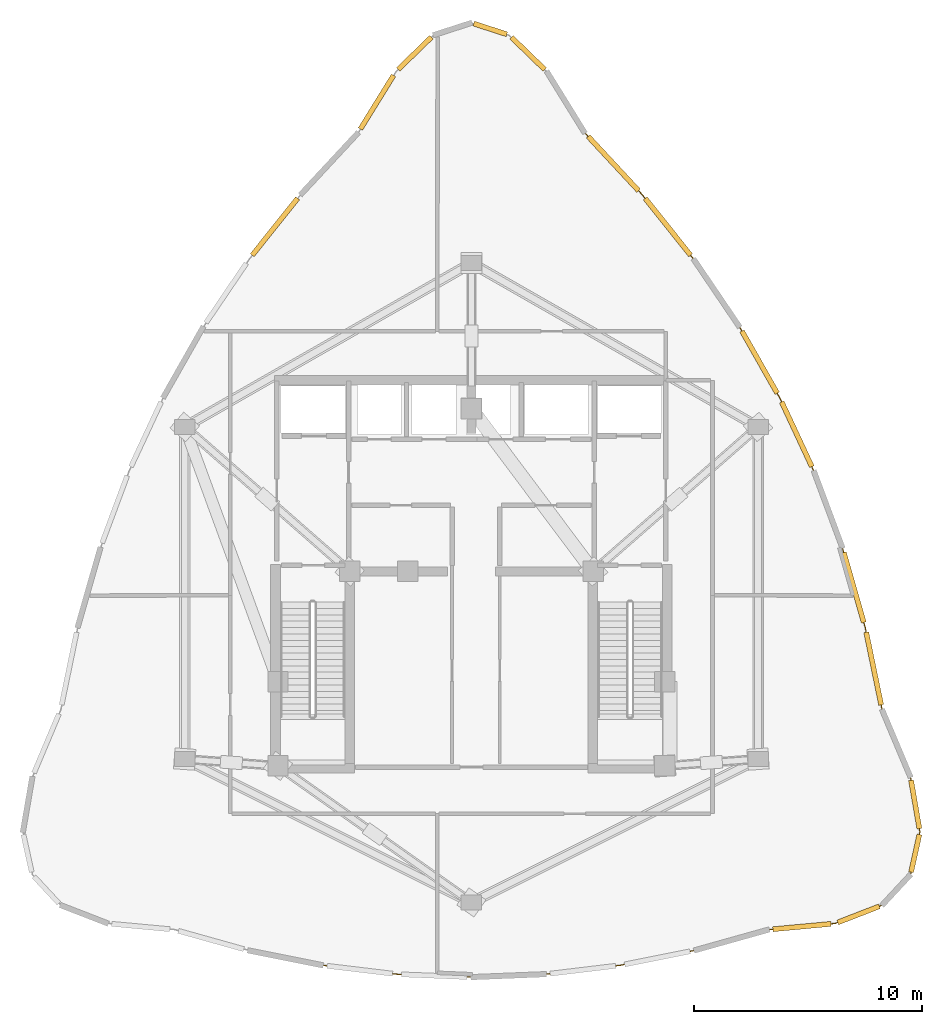
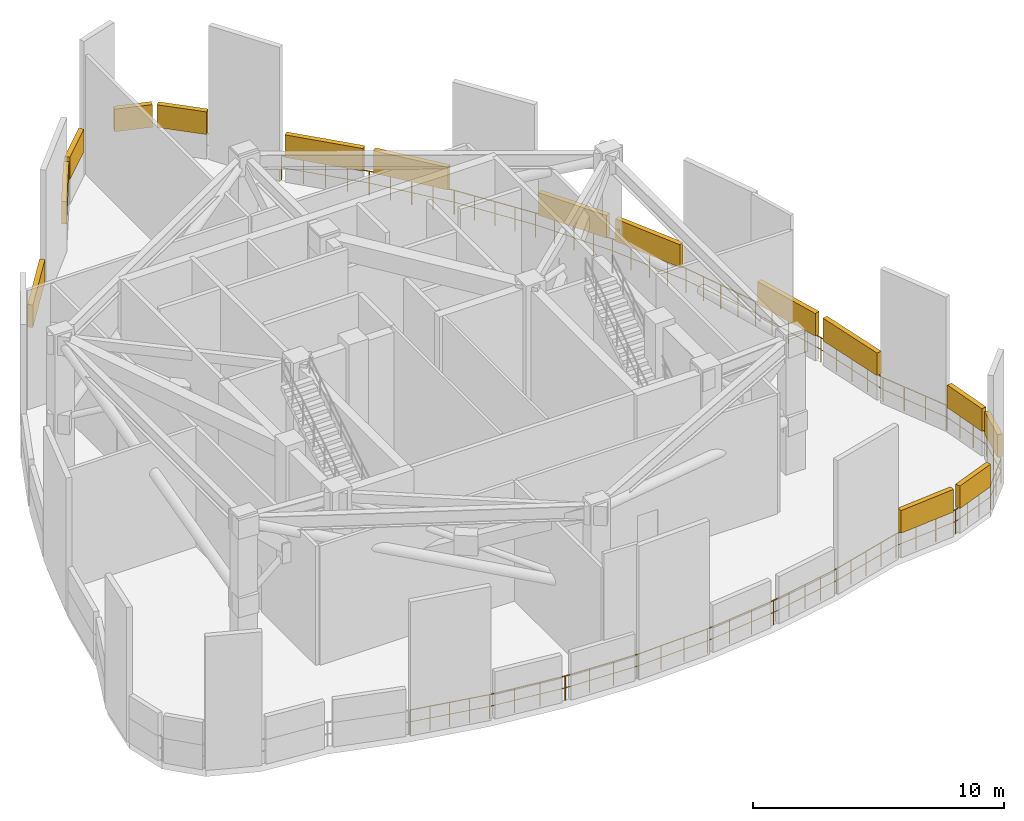
# One storey, part 8 of 8: 15 shading devices, 1 railing.
"""IFC4 building model written with IfcOpenShell, lengths in metres."""

from ifc_helpers import new_model, si_unit, direction, frame, origin, origin_2d, place, context, subcontext, project, spatial, rectangle, circle, extrude, material, type_object, element, save


model = new_model("IFC4")

# Units and contexts
model_context = context("Model", 3, precision=1e-05, world=origin(), true_north=direction((0.0, 1.0)))
body_context = subcontext(model_context, "Body", "Model", "MODEL_VIEW")
ifc_project = project(units=[si_unit("LENGTHUNIT", "METRE"), si_unit("AREAUNIT", "SQUARE_METRE"), si_unit("VOLUMEUNIT", "CUBIC_METRE"), si_unit("PLANEANGLEUNIT", "RADIAN"), si_unit("MASSUNIT", "GRAM", prefix="KILO")], contexts=[model_context])

# Site, building, storey
site_placement = place(None, origin())
site = spatial("IfcSite", under=ifc_project, at=site_placement, CompositionType="ELEMENT")
building_placement = place(site_placement, origin())
building = spatial("IfcBuilding", under=site, at=building_placement, Name="Miruveldt Soraemaru", CompositionType="ELEMENT")
storey_placement = place(building_placement, frame((0.0, 0.0, 282.800048828125)))
storey = spatial("IfcBuildingStorey", under=building, at=storey_placement, Name="L77", CompositionType="ELEMENT", Elevation=282.800048828125)

# Railing
ifc_material = material(Name="Anodised aluminium EN AW-6063 T6", Category="aluminium")
railing_type = type_object("IfcRailingType", Name="RAIL-GUARD-1200", PredefinedType="GUARDRAIL", material=ifc_material)
railing_placement = place(storey_placement, frame((34.193603515625, 27.388671875, 0.0)))
element("IfcRailing", 1, at=railing_placement, inside=storey, type_object=railing_type, Name="L77 Wind-Turbine Slot Perimeter Guardrail (B)", PredefinedType="GUARDRAIL", context=body_context, shape_type="SweptSolid", body=[
    extrude(circle(Radius=0.02392578125, at=origin_2d()), frame((0.0, 0.0, 1.17578125), z_axis=(0.980591941553, -0.196059797411, 0.0), x_axis=(0.196059797411, 0.980591941553, 0.0)), (0.0, 0.0, 1.0), 3.33349609375),
    extrude(circle(Radius=0.01611328125, at=origin_2d()), frame((0.0, 0.0, 0.60009765625), z_axis=(0.980591941553, -0.196059797411, 0.0), x_axis=(0.196059797411, 0.980591941553, 0.0)), (0.0, 0.0, 1.0), 3.33349609375),
    extrude(circle(Radius=0.02392578125, at=origin_2d()), frame((3.268798828125, -0.653564453125, 1.17578125), z_axis=(0.992874031046, -0.11916861363, 0.0), x_axis=(0.11916861363, 0.992874031046, 0.0)), (0.0, 0.0, 1.0), 3.292236328125),
    extrude(circle(Radius=0.01611328125, at=origin_2d()), frame((3.268798828125, -0.653564453125, 0.60009765625), z_axis=(0.992874031046, -0.11916861363, 0.0), x_axis=(0.11916861363, 0.992874031046, 0.0)), (0.0, 0.0, 1.0), 3.292236328125),
    extrude(circle(Radius=0.02392578125, at=origin_2d()), frame((6.53759765625, -1.0458984375, 1.17578125), z_axis=(0.999199646822, -0.040000822369, 0.0), x_axis=(0.040000822369, 0.999199646822, 0.0)), (0.0, 0.0, 1.0), 3.271484375),
    extrude(circle(Radius=0.01611328125, at=origin_2d()), frame((6.53759765625, -1.0458984375, 0.60009765625), z_axis=(0.999199646822, -0.040000822369, 0.0), x_axis=(0.040000822369, 0.999199646822, 0.0)), (0.0, 0.0, 1.0), 3.271484375),
    extrude(circle(Radius=0.02392578125, at=origin_2d()), frame((9.806396484375, -1.1767578125, 1.17578125), z_axis=(0.999199646822, 0.040000822369, 0.0), x_axis=(-0.040000822369, 0.999199646822, 0.0)), (0.0, 0.0, 1.0), 3.271484375),
    extrude(circle(Radius=0.01611328125, at=origin_2d()), frame((9.806396484375, -1.1767578125, 0.60009765625), z_axis=(0.999199646822, 0.040000822369, 0.0), x_axis=(-0.040000822369, 0.999199646822, 0.0)), (0.0, 0.0, 1.0), 3.271484375),
    extrude(circle(Radius=0.02392578125, at=origin_2d()), frame((13.0751953125, -1.0458984375, 1.17578125), z_axis=(0.992874031046, 0.11916861363, 0.0), x_axis=(-0.11916861363, 0.992874031046, 0.0)), (0.0, 0.0, 1.0), 3.292236328125),
    extrude(circle(Radius=0.01611328125, at=origin_2d()), frame((13.0751953125, -1.0458984375, 0.60009765625), z_axis=(0.992874031046, 0.11916861363, 0.0), x_axis=(-0.11916861363, 0.992874031046, 0.0)), (0.0, 0.0, 1.0), 3.292236328125),
    extrude(circle(Radius=0.02392578125, at=origin_2d()), frame((16.343994140625, -0.653564453125, 1.17578125), z_axis=(0.980591941553, 0.196059797411, 0.0), x_axis=(-0.196059797411, 0.980591941553, 0.0)), (0.0, 0.0, 1.0), 3.33349609375),
    extrude(circle(Radius=0.01611328125, at=origin_2d()), frame((16.343994140625, -0.653564453125, 0.60009765625), z_axis=(0.980591941553, 0.196059797411, 0.0), x_axis=(-0.196059797411, 0.980591941553, 0.0)), (0.0, 0.0, 1.0), 3.33349609375),
    extrude(circle(Radius=0.02392578125, at=origin_2d()), frame((19.61279296875, 0.0, 1.17578125), z_axis=(0.962967754181, 0.269616587784, 0.0), x_axis=(-0.269616587784, 0.962967754181, 0.0)), (0.0, 0.0, 1.0), 3.394775390625),
    extrude(circle(Radius=0.01611328125, at=origin_2d()), frame((19.61279296875, 0.0, 0.60009765625), z_axis=(0.962967754181, 0.269616587784, 0.0), x_axis=(-0.269616587784, 0.962967754181, 0.0)), (0.0, 0.0, 1.0), 3.394775390625),
    extrude(circle(Radius=0.02392578125, at=origin_2d()), frame((22.8818359375, 0.915283203125, 1.17578125), z_axis=(0.995754888126, 0.092044569491, 0.0), x_axis=(-0.092044569491, 0.995754888126, 0.0)), (0.0, 0.0, 1.0), 2.917724609375),
    extrude(circle(Radius=0.01611328125, at=origin_2d()), frame((22.8818359375, 0.915283203125, 0.60009765625), z_axis=(0.995754888126, 0.092044569491, 0.0), x_axis=(-0.092044569491, 0.995754888126, 0.0)), (0.0, 0.0, 1.0), 2.917724609375),
    extrude(circle(Radius=0.02392578125, at=origin_2d()), frame((25.787109375, 1.183837890625, 1.17578125), z_axis=(0.932321313147, 0.361630984641, 0.0), x_axis=(-0.361630984641, 0.932321313147, 0.0)), (0.0, 0.0, 1.0), 2.225830078125),
    extrude(circle(Radius=0.01611328125, at=origin_2d()), frame((25.787109375, 1.183837890625, 0.60009765625), z_axis=(0.932321313147, 0.361630984641, 0.0), x_axis=(-0.361630984641, 0.932321313147, 0.0)), (0.0, 0.0, 1.0), 2.225830078125),
    extrude(circle(Radius=0.02392578125, at=origin_2d()), frame((27.8623046875, 1.98876953125, 1.17578125), z_axis=(0.680067331247, 0.733149660691, 0.0), x_axis=(-0.733149660691, 0.680067331247, 0.0)), (0.0, 0.0, 1.0), 1.83056640625),
    extrude(circle(Radius=0.01611328125, at=origin_2d()), frame((27.8623046875, 1.98876953125, 0.60009765625), z_axis=(0.680067331247, 0.733149660691, 0.0), x_axis=(-0.733149660691, 0.680067331247, 0.0)), (0.0, 0.0, 1.0), 1.83056640625),
    extrude(circle(Radius=0.02392578125, at=origin_2d()), frame((29.107177734375, 3.330810546875, 1.17578125), z_axis=(0.215868789912, 0.976422380705, 0.0), x_axis=(-0.976422380705, 0.215868789912, 0.0)), (0.0, 0.0, 1.0), 1.923828125),
    extrude(circle(Radius=0.01611328125, at=origin_2d()), frame((29.107177734375, 3.330810546875, 0.60009765625), z_axis=(0.215868789912, 0.976422380705, 0.0), x_axis=(-0.976422380705, 0.215868789912, 0.0)), (0.0, 0.0, 1.0), 1.923828125),
    extrude(circle(Radius=0.02392578125, at=origin_2d()), frame((29.5224609375, 5.209228515625, 1.17578125), z_axis=(-0.169436567839, 0.985541094769, 0.0), x_axis=(-0.985541094769, -0.169436567839, 0.0)), (0.0, 0.0, 1.0), 2.450927734375),
    extrude(circle(Radius=0.01611328125, at=origin_2d()), frame((29.5224609375, 5.209228515625, 0.60009765625), z_axis=(-0.169436567839, 0.985541094769, 0.0), x_axis=(-0.985541094769, -0.169436567839, 0.0)), (0.0, 0.0, 1.0), 2.450927734375),
    extrude(circle(Radius=0.02392578125, at=origin_2d()), frame((29.107177734375, 7.624755859375, 1.17578125), z_axis=(-0.388550908653, 0.921427257783, 0.0), x_axis=(-0.921427257783, -0.388550908653, 0.0)), (0.0, 0.0, 1.0), 3.203857421875),
    extrude(circle(Radius=0.01611328125, at=origin_2d()), frame((29.107177734375, 7.624755859375, 0.60009765625), z_axis=(-0.388550908653, 0.921427257783, 0.0), x_axis=(-0.921427257783, -0.388550908653, 0.0)), (0.0, 0.0, 1.0), 3.203857421875),
    extrude(circle(Radius=0.02392578125, at=origin_2d()), frame((27.8623046875, 10.576904296875, 1.17578125), z_axis=(-0.201613867718, 0.979465082759, 0.0), x_axis=(-0.979465082759, -0.201613867718, 0.0)), (0.0, 0.0, 1.0), 3.704345703125),
    extrude(circle(Radius=0.01611328125, at=origin_2d()), frame((27.8623046875, 10.576904296875, 0.60009765625), z_axis=(-0.201613867718, 0.979465082759, 0.0), x_axis=(-0.979465082759, -0.201613867718, 0.0)), (0.0, 0.0, 1.0), 3.704345703125),
    extrude(circle(Radius=0.02392578125, at=origin_2d()), frame((27.115478515625, 14.205078125, 1.17578125), z_axis=(-0.274960445559, 0.96145553895, 0.0), x_axis=(-0.96145553895, -0.274960445559, 0.0)), (0.0, 0.0, 1.0), 3.6376953125),
    extrude(circle(Radius=0.01611328125, at=origin_2d()), frame((27.115478515625, 14.205078125, 0.60009765625), z_axis=(-0.274960445559, 0.96145553895, 0.0), x_axis=(-0.96145553895, -0.274960445559, 0.0)), (0.0, 0.0, 1.0), 3.6376953125),
    extrude(circle(Radius=0.02392578125, at=origin_2d()), frame((26.115234375, 17.70263671875, 1.17578125), z_axis=(-0.349022436182, 0.937114368176, 0.0), x_axis=(-0.937114368176, -0.349022436182, 0.0)), (0.0, 0.0, 1.0), 3.592529296875),
    extrude(circle(Radius=0.01611328125, at=origin_2d()), frame((26.115234375, 17.70263671875, 0.60009765625), z_axis=(-0.349022436182, 0.937114368176, 0.0), x_axis=(-0.937114368176, -0.349022436182, 0.0)), (0.0, 0.0, 1.0), 3.592529296875),
    extrude(circle(Radius=0.02392578125, at=origin_2d()), frame((24.861328125, 21.0693359375, 1.17578125), z_axis=(-0.422286367485, 0.906462477898, 0.0), x_axis=(-0.906462477898, -0.422286367485, 0.0)), (0.0, 0.0, 1.0), 3.570068359375),
    extrude(circle(Radius=0.01611328125, at=origin_2d()), frame((24.861328125, 21.0693359375, 0.60009765625), z_axis=(-0.422286367485, 0.906462477898, 0.0), x_axis=(-0.906462477898, -0.422286367485, 0.0)), (0.0, 0.0, 1.0), 3.570068359375),
    extrude(circle(Radius=0.02392578125, at=origin_2d()), frame((23.353759765625, 24.305419921875, 1.17578125), z_axis=(-0.493352462232, 0.869829493642, 0.0), x_axis=(-0.869829493642, -0.493352462232, 0.0)), (0.0, 0.0, 1.0), 3.56982421875),
    extrude(circle(Radius=0.01611328125, at=origin_2d()), frame((23.353759765625, 24.305419921875, 0.60009765625), z_axis=(-0.493352462232, 0.869829493642, 0.0), x_axis=(-0.869829493642, -0.493352462232, 0.0)), (0.0, 0.0, 1.0), 3.56982421875),
    extrude(circle(Radius=0.02392578125, at=origin_2d()), frame((21.592529296875, 27.41064453125, 1.17578125), z_axis=(-0.56084814517, 0.827918690488, 0.0), x_axis=(-0.827918690488, -0.56084814517, 0.0)), (0.0, 0.0, 1.0), 3.592529296875),
    extrude(circle(Radius=0.01611328125, at=origin_2d()), frame((21.592529296875, 27.41064453125, 0.60009765625), z_axis=(-0.56084814517, 0.827918690488, 0.0), x_axis=(-0.827918690488, -0.56084814517, 0.0)), (0.0, 0.0, 1.0), 3.592529296875),
    extrude(circle(Radius=0.02392578125, at=origin_2d()), frame((19.57763671875, 30.385009765625, 1.17578125), z_axis=(-0.623614093893, 0.781732346714, 0.0), x_axis=(-0.781732346714, -0.623614093893, 0.0)), (0.0, 0.0, 1.0), 3.6376953125),
    extrude(circle(Radius=0.01611328125, at=origin_2d()), frame((19.57763671875, 30.385009765625, 0.60009765625), z_axis=(-0.623614093893, 0.781732346714, 0.0), x_axis=(-0.781732346714, -0.623614093893, 0.0)), (0.0, 0.0, 1.0), 3.6376953125),
    extrude(circle(Radius=0.02392578125, at=origin_2d()), frame((17.30908203125, 33.228759765625, 1.17578125), z_axis=(-0.680882057682, 0.732393079928, 0.0), x_axis=(-0.732393079928, -0.680882057682, 0.0)), (0.0, 0.0, 1.0), 3.6494140625),
    extrude(circle(Radius=0.01611328125, at=origin_2d()), frame((17.30908203125, 33.228759765625, 0.60009765625), z_axis=(-0.680882057682, 0.732393079928, 0.0), x_axis=(-0.732393079928, -0.680882057682, 0.0)), (0.0, 0.0, 1.0), 3.6494140625),
    extrude(circle(Radius=0.02099609375, at=origin_2d()), origin(), (0.0, 0.0, 1.0), 1.15185546875),
    extrude(circle(Radius=0.02099609375, at=origin_2d()), frame((0.817138671875, -0.163330078125, 0.0)), (0.0, 0.0, 1.0), 1.15185546875),
    extrude(circle(Radius=0.02099609375, at=origin_2d()), frame((1.63427734375, -0.32666015625, 0.0)), (0.0, 0.0, 1.0), 1.15185546875),
    extrude(circle(Radius=0.02099609375, at=origin_2d()), frame((2.45166015625, -0.490234375, 0.0)), (0.0, 0.0, 1.0), 1.15185546875),
    extrude(circle(Radius=0.02099609375, at=origin_2d()), frame((3.268798828125, -0.653564453125, 0.0)), (0.0, 0.0, 1.0), 1.15185546875),
    extrude(circle(Radius=0.02099609375, at=origin_2d()), frame((4.3583984375, -0.784423828125, 0.0)), (0.0, 0.0, 1.0), 1.15185546875),
    extrude(circle(Radius=0.02099609375, at=origin_2d()), frame((5.447998046875, -0.9150390625, 0.0)), (0.0, 0.0, 1.0), 1.15185546875),
    extrude(circle(Radius=0.02099609375, at=origin_2d()), frame((6.53759765625, -1.0458984375, 0.0)), (0.0, 0.0, 1.0), 1.15185546875),
    extrude(circle(Radius=0.02099609375, at=origin_2d()), frame((7.627197265625, -1.089599609375, 0.0)), (0.0, 0.0, 1.0), 1.15185546875),
    extrude(circle(Radius=0.02099609375, at=origin_2d()), frame((8.716796875, -1.133056640625, 0.0)), (0.0, 0.0, 1.0), 1.15185546875),
    extrude(circle(Radius=0.02099609375, at=origin_2d()), frame((9.806396484375, -1.1767578125, 0.0)), (0.0, 0.0, 1.0), 1.15185546875),
    extrude(circle(Radius=0.02099609375, at=origin_2d()), frame((10.89599609375, -1.133056640625, 0.0)), (0.0, 0.0, 1.0), 1.15185546875),
    extrude(circle(Radius=0.02099609375, at=origin_2d()), frame((11.985595703125, -1.089599609375, 0.0)), (0.0, 0.0, 1.0), 1.15185546875),
    extrude(circle(Radius=0.02099609375, at=origin_2d()), frame((13.0751953125, -1.0458984375, 0.0)), (0.0, 0.0, 1.0), 1.15185546875),
    extrude(circle(Radius=0.02099609375, at=origin_2d()), frame((14.164794921875, -0.9150390625, 0.0)), (0.0, 0.0, 1.0), 1.15185546875),
    extrude(circle(Radius=0.02099609375, at=origin_2d()), frame((15.25439453125, -0.784423828125, 0.0)), (0.0, 0.0, 1.0), 1.15185546875),
    extrude(circle(Radius=0.02099609375, at=origin_2d()), frame((16.343994140625, -0.653564453125, 0.0)), (0.0, 0.0, 1.0), 1.15185546875),
    extrude(circle(Radius=0.02099609375, at=origin_2d()), frame((17.1611328125, -0.490234375, 0.0)), (0.0, 0.0, 1.0), 1.15185546875),
    extrude(circle(Radius=0.02099609375, at=origin_2d()), frame((17.978515625, -0.32666015625, 0.0)), (0.0, 0.0, 1.0), 1.15185546875),
    extrude(circle(Radius=0.02099609375, at=origin_2d()), frame((18.795654296875, -0.163330078125, 0.0)), (0.0, 0.0, 1.0), 1.15185546875),
    extrude(circle(Radius=0.02099609375, at=origin_2d()), frame((19.61279296875, 0.0, 0.0)), (0.0, 0.0, 1.0), 1.15185546875),
    extrude(circle(Radius=0.02099609375, at=origin_2d()), frame((20.43017578125, 0.228759765625, 0.0)), (0.0, 0.0, 1.0), 1.15185546875),
    extrude(circle(Radius=0.02099609375, at=origin_2d()), frame((21.247314453125, 0.45751953125, 0.0)), (0.0, 0.0, 1.0), 1.15185546875),
    extrude(circle(Radius=0.02099609375, at=origin_2d()), frame((22.064453125, 0.6865234375, 0.0)), (0.0, 0.0, 1.0), 1.15185546875),
    extrude(circle(Radius=0.02099609375, at=origin_2d()), frame((22.8818359375, 0.915283203125, 0.0)), (0.0, 0.0, 1.0), 1.15185546875),
    extrude(circle(Radius=0.02099609375, at=origin_2d()), frame((23.850341796875, 1.0048828125, 0.0)), (0.0, 0.0, 1.0), 1.15185546875),
    extrude(circle(Radius=0.02099609375, at=origin_2d()), frame((24.818603515625, 1.09423828125, 0.0)), (0.0, 0.0, 1.0), 1.15185546875),
    extrude(circle(Radius=0.02099609375, at=origin_2d()), frame((25.787109375, 1.183837890625, 0.0)), (0.0, 0.0, 1.0), 1.15185546875),
    extrude(circle(Radius=0.02099609375, at=origin_2d()), frame((26.478759765625, 1.4521484375, 0.0)), (0.0, 0.0, 1.0), 1.15185546875),
    extrude(circle(Radius=0.02099609375, at=origin_2d()), frame((27.170654296875, 1.720458984375, 0.0)), (0.0, 0.0, 1.0), 1.15185546875),
    extrude(circle(Radius=0.02099609375, at=origin_2d()), frame((27.8623046875, 1.98876953125, 0.0)), (0.0, 0.0, 1.0), 1.15185546875),
    extrude(circle(Radius=0.02099609375, at=origin_2d()), frame((28.48486328125, 2.65966796875, 0.0)), (0.0, 0.0, 1.0), 1.15185546875),
    extrude(circle(Radius=0.02099609375, at=origin_2d()), frame((29.107177734375, 3.330810546875, 0.0)), (0.0, 0.0, 1.0), 1.15185546875),
    extrude(circle(Radius=0.02099609375, at=origin_2d()), frame((29.31494140625, 4.27001953125, 0.0)), (0.0, 0.0, 1.0), 1.15185546875),
    extrude(circle(Radius=0.02099609375, at=origin_2d()), frame((29.5224609375, 5.209228515625, 0.0)), (0.0, 0.0, 1.0), 1.15185546875),
    extrude(circle(Radius=0.02099609375, at=origin_2d()), frame((29.384033203125, 6.014404296875, 0.0)), (0.0, 0.0, 1.0), 1.15185546875),
    extrude(circle(Radius=0.02099609375, at=origin_2d()), frame((29.24560546875, 6.819580078125, 0.0)), (0.0, 0.0, 1.0), 1.15185546875),
    extrude(circle(Radius=0.02099609375, at=origin_2d()), frame((29.107177734375, 7.624755859375, 0.0)), (0.0, 0.0, 1.0), 1.15185546875),
    extrude(circle(Radius=0.02099609375, at=origin_2d()), frame((28.692138671875, 8.60888671875, 0.0)), (0.0, 0.0, 1.0), 1.15185546875),
    extrude(circle(Radius=0.02099609375, at=origin_2d()), frame((28.27734375, 9.5927734375, 0.0)), (0.0, 0.0, 1.0), 1.15185546875),
    extrude(circle(Radius=0.02099609375, at=origin_2d()), frame((27.8623046875, 10.576904296875, 0.0)), (0.0, 0.0, 1.0), 1.15185546875),
    extrude(circle(Radius=0.02099609375, at=origin_2d()), frame((27.675537109375, 11.48388671875, 0.0)), (0.0, 0.0, 1.0), 1.15185546875),
    extrude(circle(Radius=0.02099609375, at=origin_2d()), frame((27.48876953125, 12.39111328125, 0.0)), (0.0, 0.0, 1.0), 1.15185546875),
    extrude(circle(Radius=0.02099609375, at=origin_2d()), frame((27.30224609375, 13.298095703125, 0.0)), (0.0, 0.0, 1.0), 1.15185546875),
    extrude(circle(Radius=0.02099609375, at=origin_2d()), frame((27.115478515625, 14.205078125, 0.0)), (0.0, 0.0, 1.0), 1.15185546875),
    extrude(circle(Radius=0.02099609375, at=origin_2d()), frame((26.865478515625, 15.07958984375, 0.0)), (0.0, 0.0, 1.0), 1.15185546875),
    extrude(circle(Radius=0.02099609375, at=origin_2d()), frame((26.615234375, 15.953857421875, 0.0)), (0.0, 0.0, 1.0), 1.15185546875),
    extrude(circle(Radius=0.02099609375, at=origin_2d()), frame((26.365234375, 16.828125, 0.0)), (0.0, 0.0, 1.0), 1.15185546875),
    extrude(circle(Radius=0.02099609375, at=origin_2d()), frame((26.115234375, 17.70263671875, 0.0)), (0.0, 0.0, 1.0), 1.15185546875),
    extrude(circle(Radius=0.02099609375, at=origin_2d()), frame((25.8017578125, 18.54443359375, 0.0)), (0.0, 0.0, 1.0), 1.15185546875),
    extrude(circle(Radius=0.02099609375, at=origin_2d()), frame((25.48828125, 19.385986328125, 0.0)), (0.0, 0.0, 1.0), 1.15185546875),
    extrude(circle(Radius=0.02099609375, at=origin_2d()), frame((25.1748046875, 20.2275390625, 0.0)), (0.0, 0.0, 1.0), 1.15185546875),
    extrude(circle(Radius=0.02099609375, at=origin_2d()), frame((24.861328125, 21.0693359375, 0.0)), (0.0, 0.0, 1.0), 1.15185546875),
    extrude(circle(Radius=0.02099609375, at=origin_2d()), frame((24.484375, 21.87841796875, 0.0)), (0.0, 0.0, 1.0), 1.15185546875),
    extrude(circle(Radius=0.02099609375, at=origin_2d()), frame((24.107421875, 22.6875, 0.0)), (0.0, 0.0, 1.0), 1.15185546875),
    extrude(circle(Radius=0.02099609375, at=origin_2d()), frame((23.730712890625, 23.496337890625, 0.0)), (0.0, 0.0, 1.0), 1.15185546875),
    extrude(circle(Radius=0.02099609375, at=origin_2d()), frame((23.353759765625, 24.305419921875, 0.0)), (0.0, 0.0, 1.0), 1.15185546875),
    extrude(circle(Radius=0.02099609375, at=origin_2d()), frame((22.91357421875, 25.081787109375, 0.0)), (0.0, 0.0, 1.0), 1.15185546875),
    extrude(circle(Radius=0.02099609375, at=origin_2d()), frame((22.47314453125, 25.85791015625, 0.0)), (0.0, 0.0, 1.0), 1.15185546875),
    extrude(circle(Radius=0.02099609375, at=origin_2d()), frame((22.03271484375, 26.63427734375, 0.0)), (0.0, 0.0, 1.0), 1.15185546875),
    extrude(circle(Radius=0.02099609375, at=origin_2d()), frame((21.592529296875, 27.41064453125, 0.0)), (0.0, 0.0, 1.0), 1.15185546875),
    extrude(circle(Radius=0.02099609375, at=origin_2d()), frame((21.0888671875, 28.154296875, 0.0)), (0.0, 0.0, 1.0), 1.15185546875),
    extrude(circle(Radius=0.02099609375, at=origin_2d()), frame((20.5849609375, 28.89794921875, 0.0)), (0.0, 0.0, 1.0), 1.15185546875),
    extrude(circle(Radius=0.02099609375, at=origin_2d()), frame((20.081298828125, 29.641357421875, 0.0)), (0.0, 0.0, 1.0), 1.15185546875),
    extrude(circle(Radius=0.02099609375, at=origin_2d()), frame((19.57763671875, 30.385009765625, 0.0)), (0.0, 0.0, 1.0), 1.15185546875),
    extrude(circle(Radius=0.02099609375, at=origin_2d()), frame((19.010498046875, 31.095947265625, 0.0)), (0.0, 0.0, 1.0), 1.15185546875),
    extrude(circle(Radius=0.02099609375, at=origin_2d()), frame((18.443359375, 31.806884765625, 0.0)), (0.0, 0.0, 1.0), 1.15185546875),
    extrude(circle(Radius=0.02099609375, at=origin_2d()), frame((17.876220703125, 32.517822265625, 0.0)), (0.0, 0.0, 1.0), 1.15185546875),
    extrude(circle(Radius=0.02099609375, at=origin_2d()), frame((17.30908203125, 33.228759765625, 0.0)), (0.0, 0.0, 1.0), 1.15185546875),
    extrude(circle(Radius=0.02099609375, at=origin_2d()), frame((16.68798828125, 33.89697265625, 0.0)), (0.0, 0.0, 1.0), 1.15185546875),
    extrude(circle(Radius=0.02099609375, at=origin_2d()), frame((16.066650390625, 34.565185546875, 0.0)), (0.0, 0.0, 1.0), 1.15185546875),
    extrude(circle(Radius=0.02099609375, at=origin_2d()), frame((15.4453125, 35.2333984375, 0.0)), (0.0, 0.0, 1.0), 1.15185546875),
    extrude(circle(Radius=0.02099609375, at=origin_2d()), frame((14.82421875, 35.901611328125, 0.0)), (0.0, 0.0, 1.0), 1.15185546875),
])

# Shading devices
shading_device_type = type_object("IfcShadingDeviceType", Name="SHD-LOUVRE-JAL", PredefinedType="JALOUSIE", material=ifc_material)
shading_device_1_placement = place(storey_placement, frame((46.490234375, 66.8193359375, 1.199951171875), z_axis=(0.0, 0.0, 1.0), x_axis=(-0.717810428625, 0.696238600306, 0.0)))
element("IfcShadingDevice", 2, at=shading_device_1_placement, inside=storey, type_object=shading_device_type, Name="L77 Aerodynamic Intake Louvre 2", PredefinedType="JALOUSIE", context=body_context, shape_type="SweptSolid", body=[
    extrude(rectangle(XDim=2.035400390625, YDim=0.219970703125, at=origin_2d()), origin(), (0.0, 0.0, 1.0), 1.10009765625),
])
shading_device_2_placement = place(storey_placement, frame((44.830078125, 67.892822265625, 1.199951171875), z_axis=(0.0, 0.0, 1.0), x_axis=(-0.951508536618, 0.3076223411, 0.0)))
element("IfcShadingDevice", 3, at=shading_device_2_placement, inside=storey, type_object=shading_device_type, Name="L77 Aerodynamic Intake Louvre 3", PredefinedType="JALOUSIE", context=body_context, shape_type="SweptSolid", body=[
    extrude(rectangle(XDim=1.535400390625, YDim=0.219970703125, at=origin_2d()), origin(), (0.0, 0.0, 1.0), 1.10009765625),
])
shading_device_3_placement = place(storey_placement, frame((41.509765625, 66.8193359375, 1.199951171875), z_axis=(0.0, 0.0, 1.0), x_axis=(-0.717810428625, -0.696238600306, 0.0)))
element("IfcShadingDevice", 4, at=shading_device_3_placement, inside=storey, type_object=shading_device_type, Name="L77 Aerodynamic Intake Louvre 5", PredefinedType="JALOUSIE", context=body_context, shape_type="SweptSolid", body=[
    extrude(rectangle(XDim=2.035400390625, YDim=0.219970703125, at=origin_2d()), origin(), (0.0, 0.0, 1.0), 1.10009765625),
])
shading_device_4_placement = place(storey_placement, frame((39.849609375, 64.67236328125, 1.199951171875), z_axis=(0.0, 0.0, 1.0), x_axis=(-0.526065501177, -0.850444053699, 0.0)))
element("IfcShadingDevice", 5, at=shading_device_4_placement, inside=storey, type_object=shading_device_type, Name="L77 Aerodynamic Intake Louvre 6", PredefinedType="JALOUSIE", context=body_context, shape_type="SweptSolid", body=[
    extrude(rectangle(XDim=2.777099609375, YDim=0.219970703125, at=origin_2d()), origin(), (0.0, 0.0, 1.0), 1.10009765625),
])
shading_device_5_placement = place(storey_placement, frame((35.363037109375, 59.19580078125, 1.199951171875), z_axis=(0.0, 0.0, 1.0), x_axis=(-0.623634044029, -0.781716431405, 0.0)))
element("IfcShadingDevice", 6, at=shading_device_5_placement, inside=storey, type_object=shading_device_type, Name="L77 Aerodynamic Intake Louvre 8", PredefinedType="JALOUSIE", context=body_context, shape_type="SweptSolid", body=[
    extrude(rectangle(XDim=3.201171875, YDim=0.219970703125, at=origin_2d()), origin(), (0.0, 0.0, 1.0), 1.10009765625),
])
shading_device_6_placement = place(storey_placement, frame((58.528076171875, 28.438232421875, 1.199951171875), z_axis=(0.0, 0.0, 1.0), x_axis=(0.995760092541, 0.091988249809, 0.0)))
element("IfcShadingDevice", 7, at=shading_device_6_placement, inside=storey, type_object=shading_device_type, Name="L77 Aerodynamic Intake Louvre 29", PredefinedType="JALOUSIE", context=body_context, shape_type="SweptSolid", body=[
    extrude(rectangle(XDim=2.5673828125, YDim=0.219970703125, at=origin_2d()), origin(), (0.0, 0.0, 1.0), 1.10009765625),
])
shading_device_7_placement = place(storey_placement, frame((61.018310546875, 28.974853515625, 1.199951171875), z_axis=(0.0, 0.0, 1.0), x_axis=(0.932298552786, 0.361689657681, 0.0)))
element("IfcShadingDevice", 8, at=shading_device_7_placement, inside=storey, type_object=shading_device_type, Name="L77 Aerodynamic Intake Louvre 30", PredefinedType="JALOUSIE", context=body_context, shape_type="SweptSolid", body=[
    extrude(rectangle(XDim=1.958740234375, YDim=0.219970703125, at=origin_2d()), origin(), (0.0, 0.0, 1.0), 1.10009765625),
])
shading_device_8_placement = place(storey_placement, frame((63.50830078125, 31.65869140625, 1.199951171875), z_axis=(0.0, 0.0, 1.0), x_axis=(0.215757978057, 0.976446872546, 0.0)))
element("IfcShadingDevice", 9, at=shading_device_8_placement, inside=storey, type_object=shading_device_type, Name="L77 Aerodynamic Intake Louvre 32", PredefinedType="JALOUSIE", context=body_context, shape_type="SweptSolid", body=[
    extrude(rectangle(XDim=1.693115234375, YDim=0.219970703125, at=origin_2d()), origin(), (0.0, 0.0, 1.0), 1.10009765625),
])
shading_device_9_placement = place(storey_placement, frame((63.50830078125, 33.8056640625, 1.199951171875), z_axis=(0.0, 0.0, 1.0), x_axis=(-0.169366705021, 0.985553103202, 0.0)))
element("IfcShadingDevice", 10, at=shading_device_9_placement, inside=storey, type_object=shading_device_type, Name="L77 Aerodynamic Intake Louvre 33", PredefinedType="JALOUSIE", context=body_context, shape_type="SweptSolid", body=[
    extrude(rectangle(XDim=2.15673828125, YDim=0.219970703125, at=origin_2d()), origin(), (0.0, 0.0, 1.0), 1.10009765625),
])
shading_device_10_placement = place(storey_placement, frame((61.6826171875, 39.77978515625, 1.199951171875), z_axis=(0.0, 0.0, 1.0), x_axis=(-0.201556607891, 0.979476867422, 0.0)))
element("IfcShadingDevice", 11, at=shading_device_10_placement, inside=storey, type_object=shading_device_type, Name="L77 Aerodynamic Intake Louvre 35", PredefinedType="JALOUSIE", context=body_context, shape_type="SweptSolid", body=[
    extrude(rectangle(XDim=3.259765625, YDim=0.219970703125, at=origin_2d()), origin(), (0.0, 0.0, 1.0), 1.10009765625),
])
shading_device_11_placement = place(storey_placement, frame((60.80908203125, 43.342529296875, 1.199951171875), z_axis=(0.0, 0.0, 1.0), x_axis=(-0.274982981932, 0.961449093633, 0.0)))
element("IfcShadingDevice", 12, at=shading_device_11_placement, inside=storey, type_object=shading_device_type, Name="L77 Aerodynamic Intake Louvre 36", PredefinedType="JALOUSIE", context=body_context, shape_type="SweptSolid", body=[
    extrude(rectangle(XDim=3.201171875, YDim=0.219970703125, at=origin_2d()), origin(), (0.0, 0.0, 1.0), 1.10009765625),
])
for number, where, z_axis, x_axis, name in (
    (13, (58.301025390625, 50.075927734375, 1.199951171875), (0.0, 0.0, 1.0), (-0.422301874901, 0.906455253421, 0.0), "L77 Aerodynamic Intake Louvre 38"),
    (14, (56.666748046875, 53.24658203125, 1.199951171875), (0.0, 0.0, 1.0), (-0.493334724289, 0.869839554062, 0.0), "L77 Aerodynamic Intake Louvre 39"),
):
    element("IfcShadingDevice", number, at=place(storey_placement, frame(where, z_axis=z_axis, x_axis=x_axis)), inside=storey, type_object=shading_device_type, Name=name, PredefinedType="JALOUSIE", context=body_context, shape_type="SweptSolid", body=[
        extrude(rectangle(XDim=3.1416015625, YDim=0.219970703125, at=origin_2d()), origin(), (0.0, 0.0, 1.0), 1.10009765625),
    ])
shading_device_12_placement = place(storey_placement, frame((52.636962890625, 59.19580078125, 1.199951171875), z_axis=(0.0, 0.0, 1.0), x_axis=(-0.623634044029, 0.781716431405, 0.0)))
element("IfcShadingDevice", 15, at=shading_device_12_placement, inside=storey, type_object=shading_device_type, Name="L77 Aerodynamic Intake Louvre 41", PredefinedType="JALOUSIE", context=body_context, shape_type="SweptSolid", body=[
    extrude(rectangle(XDim=3.201171875, YDim=0.219970703125, at=origin_2d()), origin(), (0.0, 0.0, 1.0), 1.10009765625),
])
shading_device_13_placement = place(storey_placement, frame((50.241455078125, 61.97412109375, 1.199951171875), z_axis=(0.0, 0.0, 1.0), x_axis=(-0.680887060147, 0.732388429267, 0.0)))
element("IfcShadingDevice", 16, at=shading_device_13_placement, inside=storey, type_object=shading_device_type, Name="L77 Aerodynamic Intake Louvre 42", PredefinedType="JALOUSIE", context=body_context, shape_type="SweptSolid", body=[
    extrude(rectangle(XDim=3.259765625, YDim=0.219970703125, at=origin_2d()), origin(), (0.0, 0.0, 1.0), 1.10009765625),
])

save(model, "model.ifc")
